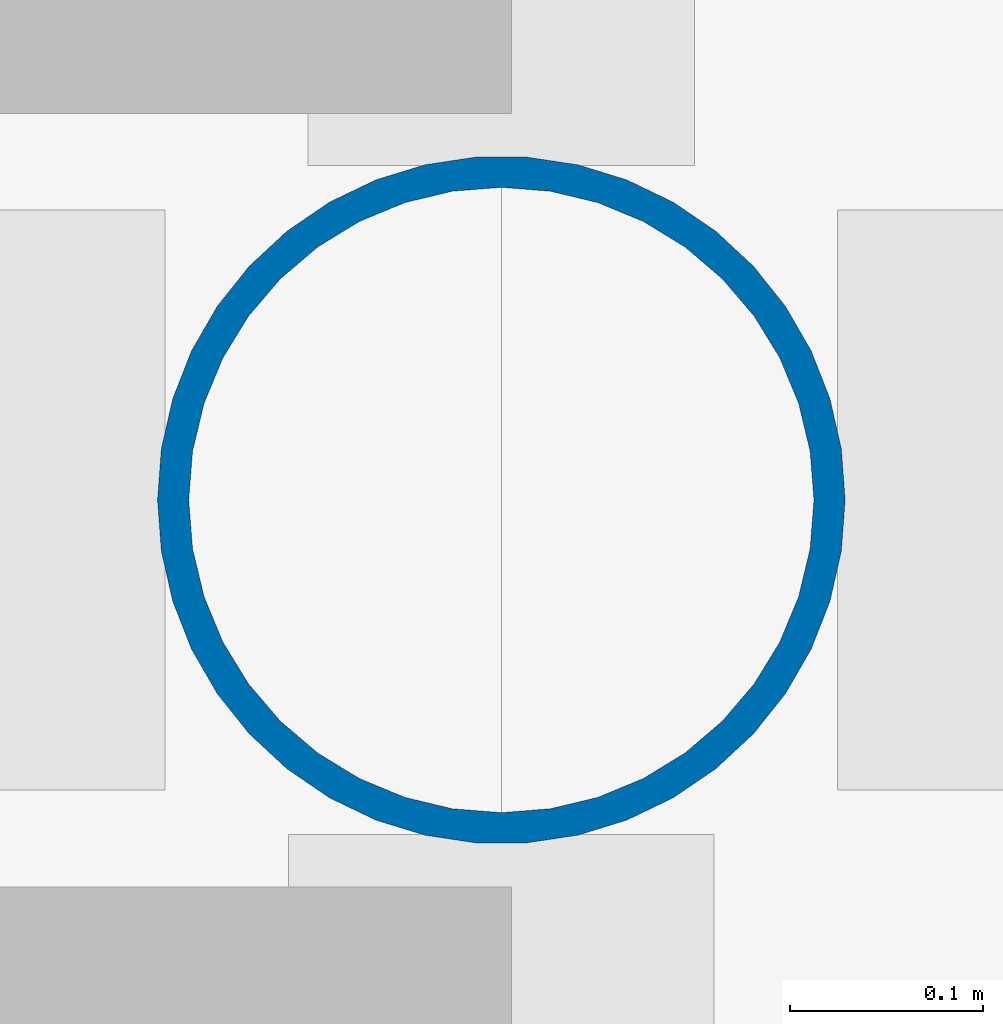
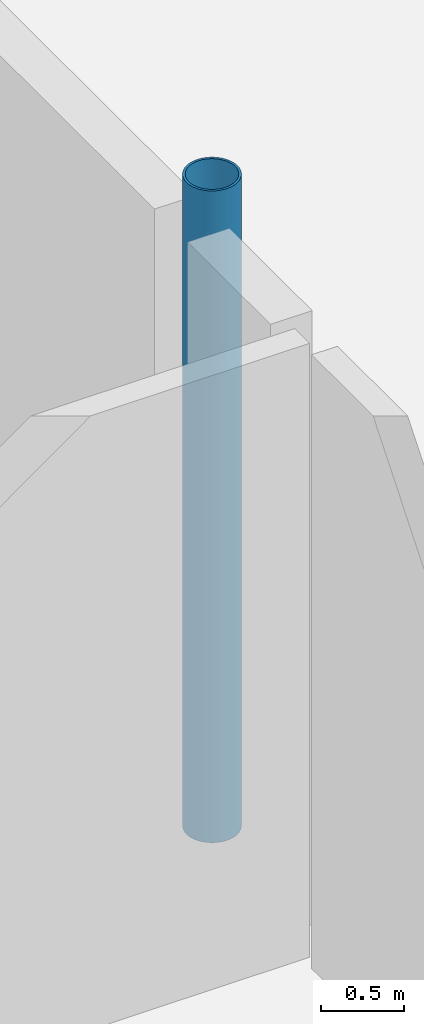
# One storey, part 2 of 100: 1 column.
"""IFC4 building model written with IfcOpenShell, lengths in metres."""

import ifcopenshell
import ifcopenshell.guid

model = None  # the IFC model being written
_history = None  # IfcOwnerHistory: only IFC2X3 demands one
_inside = {}  # id of a spatial element -> (the spatial element, [elements in it])
_under = {}  # id of a project, library or spatial element -> (it, [spatial elements below it])
_declared = {}  # id of a project -> (the project, [libraries it declares])
_typed = {}  # id of a type object -> (the type object, [elements of that type])
_made_of = {}  # id of a material, layer set ... -> (it, [elements and type objects made of it])


def new_model(schema):
    """Start an empty IFC model of exactly this schema.

    Asked for "IFC4X3", IfcOpenShell would pick the latest addendum, in which some entities
    have other attributes; the version numbers below select the first issue.
    IFC2X3 requires an IfcOwnerHistory on every rooted entity: one is made here for all.
    """
    global model, _history
    if schema == "IFC4X3":
        model = ifcopenshell.file(schema_version=(4, 3, 0, 0))
    else:
        model = ifcopenshell.file(schema=schema)
    _inside.clear()
    _under.clear()
    _declared.clear()
    _typed.clear()
    _made_of.clear()
    _history = None
    if model.schema == "IFC2X3":
        org = make("IfcOrganization", Name="unknown")
        user = make(
            "IfcPersonAndOrganization",
            ThePerson=make("IfcPerson", FamilyName="unknown"),
            TheOrganization=org,
        )
        app = make(
            "IfcApplication",
            ApplicationDeveloper=org,
            Version="unknown",
            ApplicationFullName="unknown",
            ApplicationIdentifier="unknown",
        )
        _history = make(
            "IfcOwnerHistory",
            OwningUser=user,
            OwningApplication=app,
            ChangeAction="ADDED",
            CreationDate=0,
        )
    return model


def make(cls, **values):
    """One entity of the class cls with the attributes given. An attribute that is None is left unset."""
    return model.create_entity(
        cls, **{name: value for name, value in values.items() if value is not None}
    )


def rooted(cls, **values):
    """An entity with a GlobalId (a new one), such as an element, a storey or a relation."""
    return make(cls, GlobalId=ifcopenshell.guid.new(), OwnerHistory=_history, **values)


def si_unit(unit_type, name, prefix=None):
    """IfcSIUnit, for example si_unit("LENGTHUNIT", "METRE", prefix="MILLI")."""
    return make("IfcSIUnit", UnitType=unit_type, Prefix=prefix, Name=name)


def assignment(units):
    """IfcUnitAssignment: the units of a project."""
    return None if units is None else make("IfcUnitAssignment", Units=units)


def point(xyz):
    """IfcCartesianPoint."""
    return None if xyz is None else make("IfcCartesianPoint", Coordinates=xyz)


def direction(xyz):
    """IfcDirection."""
    return None if xyz is None else make("IfcDirection", DirectionRatios=xyz)


def frame(location, z_axis=None, x_axis=None):
    """IfcAxis2Placement3D, a coordinate frame: its origin and axes. An axis left out is left unset."""
    return make(
        "IfcAxis2Placement3D",
        Location=point(location),
        Axis=direction(z_axis),
        RefDirection=direction(x_axis),
    )


def frame_2d(location, x_axis=None):
    """IfcAxis2Placement2D, a coordinate frame in the plane: its origin and x axis."""
    return make(
        "IfcAxis2Placement2D", Location=point(location), RefDirection=direction(x_axis)
    )


def origin():
    """The frame at (0, 0, 0) with its axes left unset."""
    return frame((0.0, 0.0, 0.0))


def origin_2d():
    """The frame at (0, 0) in the plane with its x axis left unset."""
    return frame_2d((0.0, 0.0))


def place(relative_to, where):
    """IfcLocalPlacement: puts the frame where relative to a parent placement (None: the world)."""
    return make(
        "IfcLocalPlacement", PlacementRelTo=relative_to, RelativePlacement=where
    )


def context(
    kind, dimensions, precision=None, world=None, true_north=None, identifier=None
):
    """IfcGeometricRepresentationContext, for example the 3D "Model" context."""
    return make(
        "IfcGeometricRepresentationContext",
        ContextIdentifier=identifier,
        ContextType=kind,
        CoordinateSpaceDimension=dimensions,
        Precision=precision,
        WorldCoordinateSystem=world,
        TrueNorth=true_north,
    )


def subcontext(parent, identifier, kind, view, scale=None):
    """IfcGeometricRepresentationSubContext, for example "Body" below "Model"."""
    return make(
        "IfcGeometricRepresentationSubContext",
        ContextIdentifier=identifier,
        ContextType=kind,
        ParentContext=parent,
        TargetScale=scale,
        TargetView=view,
    )


def project(units=None, contexts=None):
    """IfcProject with its units and contexts."""
    return rooted(
        "IfcProject",
        Name="project",
        RepresentationContexts=contexts,
        UnitsInContext=assignment(units),
    )


def spatial(cls, under=None, at=None, **own):
    """A site, building, storey or space (cls), placed at a placement, below another one or the project."""
    s = rooted(cls, ObjectPlacement=at, **own)
    if under is not None:
        _under.setdefault(under.id(), (under, []))[1].append(s)
    return s


def profile(cls, at=None, kind="AREA", **sizes):
    """A parametric profile (cls). Its sizes go by their IFC names, for example OverallWidth=200.0."""
    return make(cls, ProfileType=kind, Position=at, **sizes)


def hollow_circle(**sizes):
    """IfcCircleHollowProfileDef."""
    return profile("IfcCircleHollowProfileDef", **sizes)


def extrude(swept, where, along, depth):
    """IfcExtrudedAreaSolid: the profile swept, set in the frame where, extruded along a direction by depth."""
    return make(
        "IfcExtrudedAreaSolid",
        SweptArea=swept,
        Position=where,
        ExtrudedDirection=direction(along),
        Depth=depth,
    )


def shape(context_of_items, identifier, shape_type, items):
    """IfcShapeRepresentation: the items that make up one representation, for example the "Body"."""
    return make(
        "IfcShapeRepresentation",
        ContextOfItems=context_of_items,
        RepresentationIdentifier=identifier,
        RepresentationType=shape_type,
        Items=items,
    )


def material(Name=None, Category=None):
    """IfcMaterial."""
    return make("IfcMaterial", Name=Name, Category=Category)


def material_profile(
    of_material, cross_section, Name=None, Category=None, Priority=None
):
    """IfcMaterialProfile: a cross section and its material."""
    return make(
        "IfcMaterialProfile",
        Name=Name,
        Material=of_material,
        Profile=cross_section,
        Priority=Priority,
        Category=Category,
    )


def profile_set(profiles, Name=None, composite=None):
    """IfcMaterialProfileSet."""
    return make(
        "IfcMaterialProfileSet",
        Name=Name,
        MaterialProfiles=profiles,
        CompositeProfile=composite,
    )


def made_of(thing, what):
    """Note that an element or type object is made of a material, layer set ...; save() writes the relation."""
    if what is not None:
        _made_of.setdefault(what.id(), (what, []))[1].append(thing)
    return thing


def type_object(cls, material=None, **own):
    """A type object (cls), such as IfcWallType, which elements share."""
    return made_of(rooted(cls, **own), material)


def element(
    cls,
    number,
    at=None,
    inside=None,
    cuts=None,
    type_object=None,
    material=None,
    context=None,
    identifier="Body",
    shape_type=None,
    held_by="IfcProductDefinitionShape",
    body=None,
    shapes=None,
    **own,
):
    """One element of the class cls, such as IfcWall. Its Tag is "e" and its number.

    at: its placement. inside: the storey or other place that contains it. cuts: it is an
    opening in that element (IfcRelVoidsElement). A single representation is given by context,
    identifier, shape_type and body (its items); several are given by shapes. held_by: the class
    of the entity that holds the representations. save() writes the other relations.
    """
    e = rooted(cls, Tag="e%d" % number, ObjectPlacement=at, **own)
    if body is not None:
        shapes = [shape(context, identifier, shape_type, body)]
    if shapes is not None:
        e.Representation = make(held_by, Representations=shapes)
    if inside is not None:
        _inside.setdefault(inside.id(), (inside, []))[1].append(e)
    if cuts is not None:
        rooted(
            "IfcRelVoidsElement", RelatingBuildingElement=cuts, RelatedOpeningElement=e
        )
    if type_object is not None:
        _typed.setdefault(type_object.id(), (type_object, []))[1].append(e)
    return made_of(e, material)


def aggregate(whole, parts):
    """IfcRelAggregates: a whole, such as a stair, and the parts it consists of."""
    return rooted("IfcRelAggregates", RelatingObject=whole, RelatedObjects=parts)


def save(model, path):
    """Write the relations noted so far, then the file.

    IfcRelAggregates (storeys below a building ...), IfcRelContainedInSpatialStructure (elements
    in a storey), IfcRelDefinesByType, IfcRelAssociatesMaterial and IfcRelDeclares: one each for
    every whole, place, type object, material and project.
    """
    for whole, parts in _under.values():
        aggregate(whole, parts)
    for where, things in _inside.values():
        rooted(
            "IfcRelContainedInSpatialStructure",
            RelatedElements=things,
            RelatingStructure=where,
        )
    for kind, things in _typed.values():
        rooted("IfcRelDefinesByType", RelatedObjects=things, RelatingType=kind)
    for what, things in _made_of.values():
        rooted("IfcRelAssociatesMaterial", RelatedObjects=things, RelatingMaterial=what)
    for by, libraries in _declared.values():
        rooted("IfcRelDeclares", RelatingContext=by, RelatedDefinitions=libraries)
    model.write(path)


model = new_model("IFC4")

# Units and contexts
model_context = context("Model", 3, precision=1e-05, world=origin(), true_north=direction((0.0, 1.0)))
body_context = subcontext(model_context, "Body", "Model", "MODEL_VIEW")
ifc_project = project(units=[si_unit("LENGTHUNIT", "METRE"), si_unit("AREAUNIT", "SQUARE_METRE"), si_unit("VOLUMEUNIT", "CUBIC_METRE"), si_unit("PLANEANGLEUNIT", "RADIAN"), si_unit("MASSUNIT", "GRAM", prefix="KILO")], contexts=[model_context])

# Site, building, storey
site_placement = place(None, origin())
site = spatial("IfcSite", under=ifc_project, at=site_placement, CompositionType="ELEMENT")
building_placement = place(site_placement, origin())
building = spatial("IfcBuilding", under=site, at=building_placement, Name="Tasgan Crest Museum", CompositionType="ELEMENT")
storey_placement = place(building_placement, frame((0.0, 0.0, 9.60009765625)))
storey = spatial("IfcBuildingStorey", under=building, at=storey_placement, Name="L02", CompositionType="ELEMENT", Elevation=9.60009765625)

# Column
ifc_material = material(Name="Steel S355K2", Category="steel")
ifc_material_profile = material_profile(ifc_material, hollow_circle(Radius=0.177734375, WallThickness=0.01611328125, at=origin_2d()), Name="CHS 355.6x16")
ifc_profile_set = profile_set([ifc_material_profile], Name="Steel S355K2")
column_type = type_object("IfcColumnType", Name="COL-CHS355", PredefinedType="COLUMN", material=ifc_profile_set)
column_placement = place(storey_placement, frame((54.0, 62.0, 0.0), z_axis=(0.0, 0.0, 1.0), x_axis=(1.0, 0.0, 0.0)))
element("IfcColumn", 1, at=column_placement, inside=storey, type_object=column_type, Name="Column 6/G L02", PredefinedType="COLUMN", context=body_context, shape_type="SweptSolid", body=[
    extrude(hollow_circle(Radius=0.177734375, WallThickness=0.01611328125, at=origin_2d()), origin(), (0.0, 0.0, 1.0), 4.7998046875),
])

save(model, "model.ifc")
